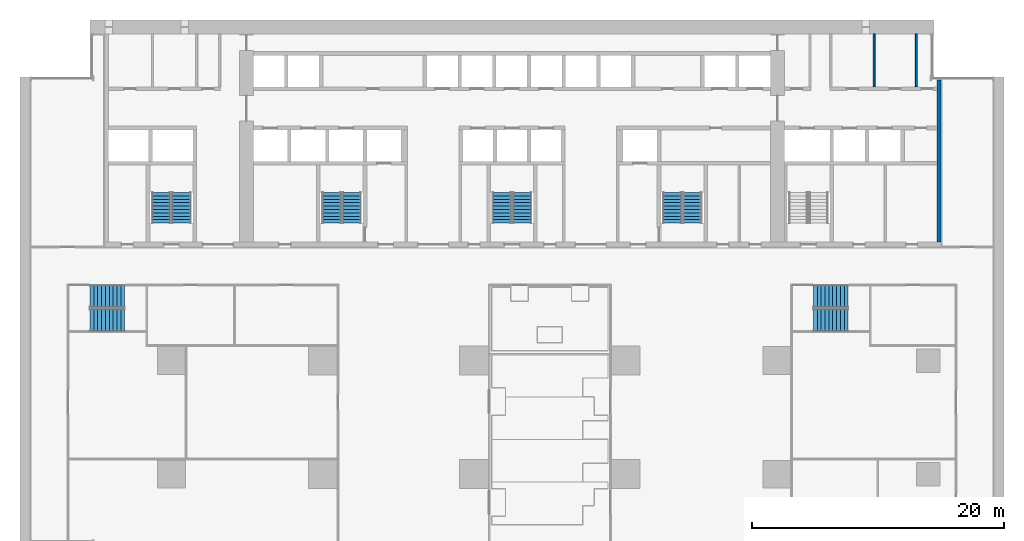
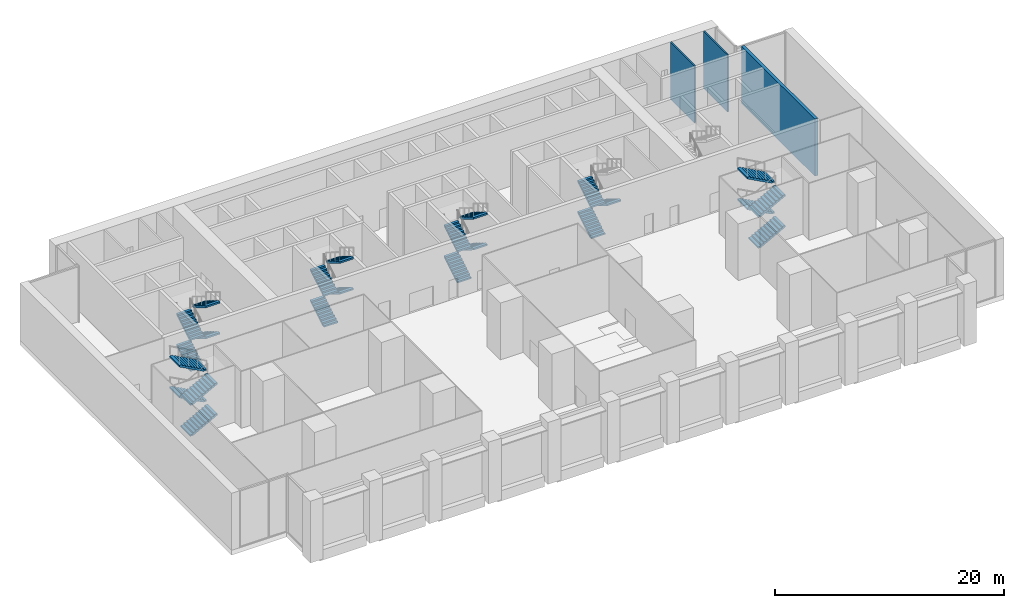
# One storey, part 12 of 18: 23 stair flights, 3 walls, 6 elements without a shape of their own.
"""IFC4 building model written with IfcOpenShell, lengths in metres."""

from ifc_helpers import new_model, si_unit, direction, frame, frame_2d, origin, place, context, subcontext, project, spatial, polyline, rectangle, outline, extrude, material, layer, layer_set, type_object, element, aggregate, save


model = new_model("IFC4")

# Units and contexts
model_context = context("Model", 3, precision=1e-05, world=origin(), true_north=direction((0.0, 1.0)))
body_context = subcontext(model_context, "Body", "Model", "MODEL_VIEW")
ifc_project = project(units=[si_unit("LENGTHUNIT", "METRE"), si_unit("AREAUNIT", "SQUARE_METRE"), si_unit("VOLUMEUNIT", "CUBIC_METRE"), si_unit("PLANEANGLEUNIT", "RADIAN"), si_unit("MASSUNIT", "GRAM", prefix="KILO")], contexts=[model_context])

# Site, building, storey
site_placement = place(None, origin())
site = spatial("IfcSite", under=ifc_project, at=site_placement, CompositionType="ELEMENT")
building_placement = place(site_placement, origin())
building = spatial("IfcBuilding", under=site, at=building_placement, Name="Calvaro Tower", CompositionType="ELEMENT")
storey_placement = place(building_placement, frame((0.0, 0.0, 11.300048828125)))
storey = spatial("IfcBuildingStorey", under=building, at=storey_placement, Name="L02", CompositionType="ELEMENT", Elevation=11.300048828125)

# Walls
ifc_material_1 = material(Name="Blockwork partition", Category="masonry")
ifc_layer_1 = layer(ifc_material_1, 0.14990234375)
ifc_layer_set_1 = layer_set([ifc_layer_1], Name="Blockwork partition")
wall_type_1 = type_object("IfcWallType", Name="Core partition 150 EI 60", PredefinedType="PARTITIONING", material=ifc_layer_set_1)
for number, where, z_axis, x_axis, name in (
    (1, (67.699951171875, 40.699951171875, 0.0), (0.0, 0.0, 1.0), (0.0, 1.0, 0.0), "Core partition"),
    (2, (71.050048828125, 40.699951171875, 0.0), (0.0, 0.0, 1.0), (0.0, 1.0, 0.0), "Core partition"),
):
    element("IfcWall", number, at=place(storey_placement, frame(where, z_axis=z_axis, x_axis=x_axis)), inside=storey, type_object=wall_type_1, Name=name, PredefinedType="PARTITIONING", context=body_context, shape_type="SweptSolid", body=[
        extrude(rectangle(XDim=4.199951171875, YDim=0.14990234375, at=frame_2d((2.10009765625, 0.0))), origin(), (0.0, 0.0, 1.0), 6.099853515625),
    ])
ifc_material_2 = material(Name="Concrete C80/95", Category="concrete")
ifc_layer_2 = layer(ifc_material_2, 0.300048828125)
ifc_layer_set_2 = layer_set([ifc_layer_2], Name="Concrete C80/95")
wall_type_2 = type_object("IfcWallType", Name="Core wall C80/95 300", PredefinedType="SHEAR", material=ifc_layer_set_2)
wall_placement = place(storey_placement, frame((72.85009765625, 28.39990234375, 0.0), z_axis=(0.0, 0.0, 1.0), x_axis=(0.0, 1.0, 0.0)))
element("IfcWall", 3, at=wall_placement, inside=storey, type_object=wall_type_2, Name="Core wall, boundary", PredefinedType="SHEAR", context=body_context, shape_type="SweptSolid", body=[
    extrude(rectangle(XDim=12.85009765625, YDim=0.300048828125, at=frame_2d((6.425048828125, 0.0))), origin(), (0.0, 0.0, 1.0), 6.099853515625),
])

# Stair, stair flights
ifc_material_3 = material(Name="Concrete C40/50", Category="concrete")
stair_type_1 = type_object("IfcStairType", Name="Exit stair 1400 4 flights", PredefinedType="DOUBLE_RETURN_STAIR", material=ifc_material_3)
stair_1_placement = place(storey_placement, origin())
stair_1 = element("IfcStair", 4, at=stair_1_placement, inside=storey, type_object=stair_type_1, Name="Exit stair S1", PredefinedType="DOUBLE_RETURN_STAIR")
ifc_material_4 = material(Name="Concrete C40/50", Category="concrete")
stair_flight_type = type_object("IfcStairFlightType", Name="Stair flight", PredefinedType="STRAIGHT", material=ifc_material_4)
stair_flight_1_placement = place(storey_placement, frame((11.199951171875, 29.89990234375, 0.0), z_axis=(0.0, 0.0, 1.0), x_axis=(0.0, 1.0, 0.0)))
stair_flight_1 = element("IfcStairFlight", 5, at=stair_flight_1_placement, type_object=stair_flight_type, Name="Exit stair 1, flight 1", NumberOfRisers=10, NumberOfTreads=9, PredefinedType="STRAIGHT", RiserHeight=0.165, TreadLength=0.27, context=body_context, shape_type="SweptSolid", body=[
    extrude(outline(polyline([(0.0, 0.0), (0.0, 0.1650390625), (0.27001953125, 0.1650390625), (0.27001953125, 0.330078125), (0.5400390625, 0.330078125), (0.5400390625, 0.4951171875), (0.81005859375, 0.4951171875), (0.81005859375, 0.659912109375), (1.080078125, 0.659912109375), (1.080078125, 0.824951171875), (1.35009765625, 0.824951171875), (1.35009765625, 0.989990234375), (1.6201171875, 0.989990234375), (1.6201171875, 1.155029296875), (1.889892578125, 1.155029296875), (1.889892578125, 1.320068359375), (2.159912109375, 1.320068359375), (2.159912109375, 1.485107421875), (2.429931640625, 1.485107421875), (2.429931640625, 1.64990234375), (2.429931640625, 1.309326171875), (0.287353515625, 0.0), (0.0, 0.0)])), frame((0.0, 0.699951171875, 0.0), z_axis=(0.0, -1.0, 0.0), x_axis=(1.0, 0.0, 0.0)), (0.0, 0.0, 1.0), 1.39990234375),
])
stair_flight_2_placement = place(storey_placement, frame((12.800048828125, 32.330078125, 1.64990234375), z_axis=(0.0, 0.0, 1.0), x_axis=(0.0, -1.0, 0.0)))
stair_flight_2 = element("IfcStairFlight", 6, at=stair_flight_2_placement, type_object=stair_flight_type, Name="Exit stair 1, flight 2", NumberOfRisers=10, NumberOfTreads=9, PredefinedType="STRAIGHT", RiserHeight=0.165, TreadLength=0.27, context=body_context, shape_type="SweptSolid", body=[
    extrude(outline(polyline([(0.0, 0.0), (0.0, 0.1650390625), (0.27001953125, 0.1650390625), (0.27001953125, 0.330078125), (0.5400390625, 0.330078125), (0.5400390625, 0.4951171875), (0.81005859375, 0.4951171875), (0.81005859375, 0.659912109375), (1.080078125, 0.659912109375), (1.080078125, 0.824951171875), (1.35009765625, 0.824951171875), (1.35009765625, 0.989990234375), (1.6201171875, 0.989990234375), (1.6201171875, 1.155029296875), (1.889892578125, 1.155029296875), (1.889892578125, 1.320068359375), (2.159912109375, 1.320068359375), (2.159912109375, 1.485107421875), (2.429931640625, 1.485107421875), (2.429931640625, 1.64990234375), (2.429931640625, 1.309326171875), (0.287353515625, 0.0), (0.0, 0.0)])), frame((0.0, 0.699951171875, 0.0), z_axis=(0.0, -1.0, 0.0), x_axis=(1.0, 0.0, 0.0)), (0.0, 0.0, 1.0), 1.39990234375),
])
stair_flight_3_placement = place(storey_placement, frame((11.199951171875, 29.89990234375, 3.300048828125), z_axis=(0.0, 0.0, 1.0), x_axis=(0.0, 1.0, 0.0)))
stair_flight_3 = element("IfcStairFlight", 7, at=stair_flight_3_placement, type_object=stair_flight_type, Name="Exit stair 1, flight 3", NumberOfRisers=10, NumberOfTreads=9, PredefinedType="STRAIGHT", RiserHeight=0.165, TreadLength=0.27, context=body_context, shape_type="SweptSolid", body=[
    extrude(outline(polyline([(0.0, 0.0), (0.0, 0.1650390625), (0.27001953125, 0.1650390625), (0.27001953125, 0.330078125), (0.5400390625, 0.330078125), (0.5400390625, 0.4951171875), (0.81005859375, 0.4951171875), (0.81005859375, 0.659912109375), (1.080078125, 0.659912109375), (1.080078125, 0.824951171875), (1.35009765625, 0.824951171875), (1.35009765625, 0.989990234375), (1.6201171875, 0.989990234375), (1.6201171875, 1.155029296875), (1.889892578125, 1.155029296875), (1.889892578125, 1.320068359375), (2.159912109375, 1.320068359375), (2.159912109375, 1.485107421875), (2.429931640625, 1.485107421875), (2.429931640625, 1.64990234375), (2.429931640625, 1.309326171875), (0.287353515625, 0.0), (0.0, 0.0)])), frame((0.0, 0.699951171875, 0.0), z_axis=(0.0, -1.0, 0.0), x_axis=(1.0, 0.0, 0.0)), (0.0, 0.0, 1.0), 1.39990234375),
])
stair_flight_4_placement = place(storey_placement, frame((12.800048828125, 32.330078125, 4.949951171875), z_axis=(0.0, 0.0, 1.0), x_axis=(0.0, -1.0, 0.0)))
stair_flight_4 = element("IfcStairFlight", 8, at=stair_flight_4_placement, type_object=stair_flight_type, Name="Exit stair 1, flight 4", NumberOfRisers=10, NumberOfTreads=9, PredefinedType="STRAIGHT", RiserHeight=0.165, TreadLength=0.27, context=body_context, shape_type="SweptSolid", body=[
    extrude(outline(polyline([(0.0, 0.0), (0.0, 0.1650390625), (0.27001953125, 0.1650390625), (0.27001953125, 0.330078125), (0.5400390625, 0.330078125), (0.5400390625, 0.4951171875), (0.81005859375, 0.4951171875), (0.81005859375, 0.659912109375), (1.080078125, 0.659912109375), (1.080078125, 0.824951171875), (1.35009765625, 0.824951171875), (1.35009765625, 0.989990234375), (1.6201171875, 0.989990234375), (1.6201171875, 1.155029296875), (1.889892578125, 1.155029296875), (1.889892578125, 1.320068359375), (2.159912109375, 1.320068359375), (2.159912109375, 1.485107421875), (2.429931640625, 1.485107421875), (2.429931640625, 1.64990234375), (2.429931640625, 1.309326171875), (0.287353515625, 0.0), (0.0, 0.0)])), frame((0.0, 0.699951171875, 0.0), z_axis=(0.0, -1.0, 0.0), x_axis=(1.0, 0.0, 0.0)), (0.0, 0.0, 1.0), 1.39990234375),
])
aggregate(stair_1, [stair_flight_1, stair_flight_2, stair_flight_3, stair_flight_4])

stair_2_placement = place(storey_placement, origin())
stair_2 = element("IfcStair", 9, at=stair_2_placement, inside=storey, type_object=stair_type_1, Name="Exit stair S2", PredefinedType="DOUBLE_RETURN_STAIR")
stair_flight_5_placement = place(storey_placement, frame((24.699951171875, 29.89990234375, 0.0), z_axis=(0.0, 0.0, 1.0), x_axis=(0.0, 1.0, 0.0)))
stair_flight_5 = element("IfcStairFlight", 10, at=stair_flight_5_placement, type_object=stair_flight_type, Name="Exit stair 2, flight 1", NumberOfRisers=10, NumberOfTreads=9, PredefinedType="STRAIGHT", RiserHeight=0.165, TreadLength=0.27, context=body_context, shape_type="SweptSolid", body=[
    extrude(outline(polyline([(0.0, 0.0), (0.0, 0.1650390625), (0.27001953125, 0.1650390625), (0.27001953125, 0.330078125), (0.5400390625, 0.330078125), (0.5400390625, 0.4951171875), (0.81005859375, 0.4951171875), (0.81005859375, 0.659912109375), (1.080078125, 0.659912109375), (1.080078125, 0.824951171875), (1.35009765625, 0.824951171875), (1.35009765625, 0.989990234375), (1.6201171875, 0.989990234375), (1.6201171875, 1.155029296875), (1.889892578125, 1.155029296875), (1.889892578125, 1.320068359375), (2.159912109375, 1.320068359375), (2.159912109375, 1.485107421875), (2.429931640625, 1.485107421875), (2.429931640625, 1.64990234375), (2.429931640625, 1.309326171875), (0.287353515625, 0.0), (0.0, 0.0)])), frame((0.0, 0.699951171875, 0.0), z_axis=(0.0, -1.0, 0.0), x_axis=(1.0, 0.0, 0.0)), (0.0, 0.0, 1.0), 1.39990234375),
])
stair_flight_6_placement = place(storey_placement, frame((26.300048828125, 32.330078125, 1.64990234375), z_axis=(0.0, 0.0, 1.0), x_axis=(0.0, -1.0, 0.0)))
stair_flight_6 = element("IfcStairFlight", 11, at=stair_flight_6_placement, type_object=stair_flight_type, Name="Exit stair 2, flight 2", NumberOfRisers=10, NumberOfTreads=9, PredefinedType="STRAIGHT", RiserHeight=0.165, TreadLength=0.27, context=body_context, shape_type="SweptSolid", body=[
    extrude(outline(polyline([(0.0, 0.0), (0.0, 0.1650390625), (0.27001953125, 0.1650390625), (0.27001953125, 0.330078125), (0.5400390625, 0.330078125), (0.5400390625, 0.4951171875), (0.81005859375, 0.4951171875), (0.81005859375, 0.659912109375), (1.080078125, 0.659912109375), (1.080078125, 0.824951171875), (1.35009765625, 0.824951171875), (1.35009765625, 0.989990234375), (1.6201171875, 0.989990234375), (1.6201171875, 1.155029296875), (1.889892578125, 1.155029296875), (1.889892578125, 1.320068359375), (2.159912109375, 1.320068359375), (2.159912109375, 1.485107421875), (2.429931640625, 1.485107421875), (2.429931640625, 1.64990234375), (2.429931640625, 1.309326171875), (0.287353515625, 0.0), (0.0, 0.0)])), frame((0.0, 0.699951171875, 0.0), z_axis=(0.0, -1.0, 0.0), x_axis=(1.0, 0.0, 0.0)), (0.0, 0.0, 1.0), 1.39990234375),
])
stair_flight_7_placement = place(storey_placement, frame((24.699951171875, 29.89990234375, 3.300048828125), z_axis=(0.0, 0.0, 1.0), x_axis=(0.0, 1.0, 0.0)))
stair_flight_7 = element("IfcStairFlight", 12, at=stair_flight_7_placement, type_object=stair_flight_type, Name="Exit stair 2, flight 3", NumberOfRisers=10, NumberOfTreads=9, PredefinedType="STRAIGHT", RiserHeight=0.165, TreadLength=0.27, context=body_context, shape_type="SweptSolid", body=[
    extrude(outline(polyline([(0.0, 0.0), (0.0, 0.1650390625), (0.27001953125, 0.1650390625), (0.27001953125, 0.330078125), (0.5400390625, 0.330078125), (0.5400390625, 0.4951171875), (0.81005859375, 0.4951171875), (0.81005859375, 0.659912109375), (1.080078125, 0.659912109375), (1.080078125, 0.824951171875), (1.35009765625, 0.824951171875), (1.35009765625, 0.989990234375), (1.6201171875, 0.989990234375), (1.6201171875, 1.155029296875), (1.889892578125, 1.155029296875), (1.889892578125, 1.320068359375), (2.159912109375, 1.320068359375), (2.159912109375, 1.485107421875), (2.429931640625, 1.485107421875), (2.429931640625, 1.64990234375), (2.429931640625, 1.309326171875), (0.287353515625, 0.0), (0.0, 0.0)])), frame((0.0, 0.699951171875, 0.0), z_axis=(0.0, -1.0, 0.0), x_axis=(1.0, 0.0, 0.0)), (0.0, 0.0, 1.0), 1.39990234375),
])
stair_flight_8_placement = place(storey_placement, frame((26.300048828125, 32.330078125, 4.949951171875), z_axis=(0.0, 0.0, 1.0), x_axis=(0.0, -1.0, 0.0)))
stair_flight_8 = element("IfcStairFlight", 13, at=stair_flight_8_placement, type_object=stair_flight_type, Name="Exit stair 2, flight 4", NumberOfRisers=10, NumberOfTreads=9, PredefinedType="STRAIGHT", RiserHeight=0.165, TreadLength=0.27, context=body_context, shape_type="SweptSolid", body=[
    extrude(outline(polyline([(0.0, 0.0), (0.0, 0.1650390625), (0.27001953125, 0.1650390625), (0.27001953125, 0.330078125), (0.5400390625, 0.330078125), (0.5400390625, 0.4951171875), (0.81005859375, 0.4951171875), (0.81005859375, 0.659912109375), (1.080078125, 0.659912109375), (1.080078125, 0.824951171875), (1.35009765625, 0.824951171875), (1.35009765625, 0.989990234375), (1.6201171875, 0.989990234375), (1.6201171875, 1.155029296875), (1.889892578125, 1.155029296875), (1.889892578125, 1.320068359375), (2.159912109375, 1.320068359375), (2.159912109375, 1.485107421875), (2.429931640625, 1.485107421875), (2.429931640625, 1.64990234375), (2.429931640625, 1.309326171875), (0.287353515625, 0.0), (0.0, 0.0)])), frame((0.0, 0.699951171875, 0.0), z_axis=(0.0, -1.0, 0.0), x_axis=(1.0, 0.0, 0.0)), (0.0, 0.0, 1.0), 1.39990234375),
])
aggregate(stair_2, [stair_flight_5, stair_flight_6, stair_flight_7, stair_flight_8])

stair_3_placement = place(storey_placement, origin())
stair_3 = element("IfcStair", 14, at=stair_3_placement, inside=storey, type_object=stair_type_1, Name="Exit stair S3", PredefinedType="DOUBLE_RETURN_STAIR")
stair_flight_9_placement = place(storey_placement, frame((38.199951171875, 29.89990234375, 0.0), z_axis=(0.0, 0.0, 1.0), x_axis=(0.0, 1.0, 0.0)))
stair_flight_9 = element("IfcStairFlight", 15, at=stair_flight_9_placement, type_object=stair_flight_type, Name="Exit stair 3, flight 1", NumberOfRisers=10, NumberOfTreads=9, PredefinedType="STRAIGHT", RiserHeight=0.165, TreadLength=0.27, context=body_context, shape_type="SweptSolid", body=[
    extrude(outline(polyline([(0.0, 0.0), (0.0, 0.1650390625), (0.27001953125, 0.1650390625), (0.27001953125, 0.330078125), (0.5400390625, 0.330078125), (0.5400390625, 0.4951171875), (0.81005859375, 0.4951171875), (0.81005859375, 0.659912109375), (1.080078125, 0.659912109375), (1.080078125, 0.824951171875), (1.35009765625, 0.824951171875), (1.35009765625, 0.989990234375), (1.6201171875, 0.989990234375), (1.6201171875, 1.155029296875), (1.889892578125, 1.155029296875), (1.889892578125, 1.320068359375), (2.159912109375, 1.320068359375), (2.159912109375, 1.485107421875), (2.429931640625, 1.485107421875), (2.429931640625, 1.64990234375), (2.429931640625, 1.309326171875), (0.287353515625, 0.0), (0.0, 0.0)])), frame((0.0, 0.699951171875, 0.0), z_axis=(0.0, -1.0, 0.0), x_axis=(1.0, 0.0, 0.0)), (0.0, 0.0, 1.0), 1.39990234375),
])
stair_flight_10_placement = place(storey_placement, frame((39.800048828125, 32.330078125, 1.64990234375), z_axis=(0.0, 0.0, 1.0), x_axis=(0.0, -1.0, 0.0)))
stair_flight_10 = element("IfcStairFlight", 16, at=stair_flight_10_placement, type_object=stair_flight_type, Name="Exit stair 3, flight 2", NumberOfRisers=10, NumberOfTreads=9, PredefinedType="STRAIGHT", RiserHeight=0.165, TreadLength=0.27, context=body_context, shape_type="SweptSolid", body=[
    extrude(outline(polyline([(0.0, 0.0), (0.0, 0.1650390625), (0.27001953125, 0.1650390625), (0.27001953125, 0.330078125), (0.5400390625, 0.330078125), (0.5400390625, 0.4951171875), (0.81005859375, 0.4951171875), (0.81005859375, 0.659912109375), (1.080078125, 0.659912109375), (1.080078125, 0.824951171875), (1.35009765625, 0.824951171875), (1.35009765625, 0.989990234375), (1.6201171875, 0.989990234375), (1.6201171875, 1.155029296875), (1.889892578125, 1.155029296875), (1.889892578125, 1.320068359375), (2.159912109375, 1.320068359375), (2.159912109375, 1.485107421875), (2.429931640625, 1.485107421875), (2.429931640625, 1.64990234375), (2.429931640625, 1.309326171875), (0.287353515625, 0.0), (0.0, 0.0)])), frame((0.0, 0.699951171875, 0.0), z_axis=(0.0, -1.0, 0.0), x_axis=(1.0, 0.0, 0.0)), (0.0, 0.0, 1.0), 1.39990234375),
])
stair_flight_11_placement = place(storey_placement, frame((38.199951171875, 29.89990234375, 3.300048828125), z_axis=(0.0, 0.0, 1.0), x_axis=(0.0, 1.0, 0.0)))
stair_flight_11 = element("IfcStairFlight", 17, at=stair_flight_11_placement, type_object=stair_flight_type, Name="Exit stair 3, flight 3", NumberOfRisers=10, NumberOfTreads=9, PredefinedType="STRAIGHT", RiserHeight=0.165, TreadLength=0.27, context=body_context, shape_type="SweptSolid", body=[
    extrude(outline(polyline([(0.0, 0.0), (0.0, 0.1650390625), (0.27001953125, 0.1650390625), (0.27001953125, 0.330078125), (0.5400390625, 0.330078125), (0.5400390625, 0.4951171875), (0.81005859375, 0.4951171875), (0.81005859375, 0.659912109375), (1.080078125, 0.659912109375), (1.080078125, 0.824951171875), (1.35009765625, 0.824951171875), (1.35009765625, 0.989990234375), (1.6201171875, 0.989990234375), (1.6201171875, 1.155029296875), (1.889892578125, 1.155029296875), (1.889892578125, 1.320068359375), (2.159912109375, 1.320068359375), (2.159912109375, 1.485107421875), (2.429931640625, 1.485107421875), (2.429931640625, 1.64990234375), (2.429931640625, 1.309326171875), (0.287353515625, 0.0), (0.0, 0.0)])), frame((0.0, 0.699951171875, 0.0), z_axis=(0.0, -1.0, 0.0), x_axis=(1.0, 0.0, 0.0)), (0.0, 0.0, 1.0), 1.39990234375),
])
stair_flight_12_placement = place(storey_placement, frame((39.800048828125, 32.330078125, 4.949951171875), z_axis=(0.0, 0.0, 1.0), x_axis=(0.0, -1.0, 0.0)))
stair_flight_12 = element("IfcStairFlight", 18, at=stair_flight_12_placement, type_object=stair_flight_type, Name="Exit stair 3, flight 4", NumberOfRisers=10, NumberOfTreads=9, PredefinedType="STRAIGHT", RiserHeight=0.165, TreadLength=0.27, context=body_context, shape_type="SweptSolid", body=[
    extrude(outline(polyline([(0.0, 0.0), (0.0, 0.1650390625), (0.27001953125, 0.1650390625), (0.27001953125, 0.330078125), (0.5400390625, 0.330078125), (0.5400390625, 0.4951171875), (0.81005859375, 0.4951171875), (0.81005859375, 0.659912109375), (1.080078125, 0.659912109375), (1.080078125, 0.824951171875), (1.35009765625, 0.824951171875), (1.35009765625, 0.989990234375), (1.6201171875, 0.989990234375), (1.6201171875, 1.155029296875), (1.889892578125, 1.155029296875), (1.889892578125, 1.320068359375), (2.159912109375, 1.320068359375), (2.159912109375, 1.485107421875), (2.429931640625, 1.485107421875), (2.429931640625, 1.64990234375), (2.429931640625, 1.309326171875), (0.287353515625, 0.0), (0.0, 0.0)])), frame((0.0, 0.699951171875, 0.0), z_axis=(0.0, -1.0, 0.0), x_axis=(1.0, 0.0, 0.0)), (0.0, 0.0, 1.0), 1.39990234375),
])
aggregate(stair_3, [stair_flight_9, stair_flight_10, stair_flight_11, stair_flight_12])

stair_4_placement = place(storey_placement, origin())
stair_4 = element("IfcStair", 19, at=stair_4_placement, inside=storey, type_object=stair_type_1, Name="Exit stair S4", PredefinedType="DOUBLE_RETURN_STAIR")
stair_flight_13_placement = place(storey_placement, frame((51.699951171875, 29.89990234375, 0.0), z_axis=(0.0, 0.0, 1.0), x_axis=(0.0, 1.0, 0.0)))
stair_flight_13 = element("IfcStairFlight", 20, at=stair_flight_13_placement, type_object=stair_flight_type, Name="Exit stair 4, flight 1", NumberOfRisers=10, NumberOfTreads=9, PredefinedType="STRAIGHT", RiserHeight=0.165, TreadLength=0.27, context=body_context, shape_type="SweptSolid", body=[
    extrude(outline(polyline([(0.0, 0.0), (0.0, 0.1650390625), (0.27001953125, 0.1650390625), (0.27001953125, 0.330078125), (0.5400390625, 0.330078125), (0.5400390625, 0.4951171875), (0.81005859375, 0.4951171875), (0.81005859375, 0.659912109375), (1.080078125, 0.659912109375), (1.080078125, 0.824951171875), (1.35009765625, 0.824951171875), (1.35009765625, 0.989990234375), (1.6201171875, 0.989990234375), (1.6201171875, 1.155029296875), (1.889892578125, 1.155029296875), (1.889892578125, 1.320068359375), (2.159912109375, 1.320068359375), (2.159912109375, 1.485107421875), (2.429931640625, 1.485107421875), (2.429931640625, 1.64990234375), (2.429931640625, 1.309326171875), (0.287353515625, 0.0), (0.0, 0.0)])), frame((0.0, 0.699951171875, 0.0), z_axis=(0.0, -1.0, 0.0), x_axis=(1.0, 0.0, 0.0)), (0.0, 0.0, 1.0), 1.39990234375),
])
stair_flight_14_placement = place(storey_placement, frame((53.300048828125, 32.330078125, 1.64990234375), z_axis=(0.0, 0.0, 1.0), x_axis=(0.0, -1.0, 0.0)))
stair_flight_14 = element("IfcStairFlight", 21, at=stair_flight_14_placement, type_object=stair_flight_type, Name="Exit stair 4, flight 2", NumberOfRisers=10, NumberOfTreads=9, PredefinedType="STRAIGHT", RiserHeight=0.165, TreadLength=0.27, context=body_context, shape_type="SweptSolid", body=[
    extrude(outline(polyline([(0.0, 0.0), (0.0, 0.1650390625), (0.27001953125, 0.1650390625), (0.27001953125, 0.330078125), (0.5400390625, 0.330078125), (0.5400390625, 0.4951171875), (0.81005859375, 0.4951171875), (0.81005859375, 0.659912109375), (1.080078125, 0.659912109375), (1.080078125, 0.824951171875), (1.35009765625, 0.824951171875), (1.35009765625, 0.989990234375), (1.6201171875, 0.989990234375), (1.6201171875, 1.155029296875), (1.889892578125, 1.155029296875), (1.889892578125, 1.320068359375), (2.159912109375, 1.320068359375), (2.159912109375, 1.485107421875), (2.429931640625, 1.485107421875), (2.429931640625, 1.64990234375), (2.429931640625, 1.309326171875), (0.287353515625, 0.0), (0.0, 0.0)])), frame((0.0, 0.699951171875, 0.0), z_axis=(0.0, -1.0, 0.0), x_axis=(1.0, 0.0, 0.0)), (0.0, 0.0, 1.0), 1.39990234375),
])
stair_flight_15_placement = place(storey_placement, frame((51.699951171875, 29.89990234375, 3.300048828125), z_axis=(0.0, 0.0, 1.0), x_axis=(0.0, 1.0, 0.0)))
stair_flight_15 = element("IfcStairFlight", 22, at=stair_flight_15_placement, type_object=stair_flight_type, Name="Exit stair 4, flight 3", NumberOfRisers=10, NumberOfTreads=9, PredefinedType="STRAIGHT", RiserHeight=0.165, TreadLength=0.27, context=body_context, shape_type="SweptSolid", body=[
    extrude(outline(polyline([(0.0, 0.0), (0.0, 0.1650390625), (0.27001953125, 0.1650390625), (0.27001953125, 0.330078125), (0.5400390625, 0.330078125), (0.5400390625, 0.4951171875), (0.81005859375, 0.4951171875), (0.81005859375, 0.659912109375), (1.080078125, 0.659912109375), (1.080078125, 0.824951171875), (1.35009765625, 0.824951171875), (1.35009765625, 0.989990234375), (1.6201171875, 0.989990234375), (1.6201171875, 1.155029296875), (1.889892578125, 1.155029296875), (1.889892578125, 1.320068359375), (2.159912109375, 1.320068359375), (2.159912109375, 1.485107421875), (2.429931640625, 1.485107421875), (2.429931640625, 1.64990234375), (2.429931640625, 1.309326171875), (0.287353515625, 0.0), (0.0, 0.0)])), frame((0.0, 0.699951171875, 0.0), z_axis=(0.0, -1.0, 0.0), x_axis=(1.0, 0.0, 0.0)), (0.0, 0.0, 1.0), 1.39990234375),
])
aggregate(stair_4, [stair_flight_13, stair_flight_14, stair_flight_15])

ifc_material_5 = material(Name="Concrete C40/50", Category="concrete")
stair_type_2 = type_object("IfcStairType", Name="Exit stair 1700 4 flights", PredefinedType="DOUBLE_RETURN_STAIR", material=ifc_material_5)
stair_5_placement = place(storey_placement, origin())
stair_5 = element("IfcStair", 23, at=stair_5_placement, inside=storey, type_object=stair_type_2, Name="Exit stair 6", PredefinedType="DOUBLE_RETURN_STAIR")
stair_flight_16_placement = place(storey_placement, frame((5.550048828125, 22.199951171875, 0.0), z_axis=(0.0, 0.0, 1.0), x_axis=(1.0, 0.0, 0.0)))
stair_flight_16 = element("IfcStairFlight", 24, at=stair_flight_16_placement, type_object=stair_flight_type, Name="Exit stair 6, flight 1", NumberOfRisers=10, NumberOfTreads=9, PredefinedType="STRAIGHT", RiserHeight=0.165, TreadLength=0.305, context=body_context, shape_type="SweptSolid", body=[
    extrude(outline(polyline([(0.0, 0.0), (0.0, 0.1650390625), (0.304931640625, 0.1650390625), (0.304931640625, 0.330078125), (0.610107421875, 0.330078125), (0.610107421875, 0.4951171875), (0.9150390625, 0.4951171875), (0.9150390625, 0.659912109375), (1.219970703125, 0.659912109375), (1.219970703125, 0.824951171875), (1.52490234375, 0.824951171875), (1.52490234375, 0.989990234375), (1.830078125, 0.989990234375), (1.830078125, 1.155029296875), (2.135009765625, 1.155029296875), (2.135009765625, 1.320068359375), (2.43994140625, 1.320068359375), (2.43994140625, 1.485107421875), (2.7451171875, 1.485107421875), (2.7451171875, 1.64990234375), (2.7451171875, 1.314453125), (0.31494140625, 0.0), (0.0, 0.0)])), frame((0.0, 0.85009765625, 0.0), z_axis=(0.0, -1.0, 0.0), x_axis=(1.0, 0.0, 0.0)), (0.0, 0.0, 1.0), 1.699951171875),
])
stair_flight_17_placement = place(storey_placement, frame((8.294921875, 24.10009765625, 1.64990234375), z_axis=(0.0, 0.0, 1.0), x_axis=(-1.0, 0.0, 0.0)))
stair_flight_17 = element("IfcStairFlight", 25, at=stair_flight_17_placement, type_object=stair_flight_type, Name="Exit stair 6, flight 2", NumberOfRisers=10, NumberOfTreads=9, PredefinedType="STRAIGHT", RiserHeight=0.165, TreadLength=0.305, context=body_context, shape_type="SweptSolid", body=[
    extrude(outline(polyline([(0.0, 0.0), (0.0, 0.1650390625), (0.304931640625, 0.1650390625), (0.304931640625, 0.330078125), (0.610107421875, 0.330078125), (0.610107421875, 0.4951171875), (0.9150390625, 0.4951171875), (0.9150390625, 0.659912109375), (1.219970703125, 0.659912109375), (1.219970703125, 0.824951171875), (1.52490234375, 0.824951171875), (1.52490234375, 0.989990234375), (1.830078125, 0.989990234375), (1.830078125, 1.155029296875), (2.135009765625, 1.155029296875), (2.135009765625, 1.320068359375), (2.43994140625, 1.320068359375), (2.43994140625, 1.485107421875), (2.7451171875, 1.485107421875), (2.7451171875, 1.64990234375), (2.7451171875, 1.314453125), (0.31494140625, 0.0), (0.0, 0.0)])), frame((0.0, 0.85009765625, 0.0), z_axis=(0.0, -1.0, 0.0), x_axis=(1.0, 0.0, 0.0)), (0.0, 0.0, 1.0), 1.699951171875),
])
stair_flight_18_placement = place(storey_placement, frame((5.550048828125, 22.199951171875, 3.300048828125), z_axis=(0.0, 0.0, 1.0), x_axis=(1.0, 0.0, 0.0)))
stair_flight_18 = element("IfcStairFlight", 26, at=stair_flight_18_placement, type_object=stair_flight_type, Name="Exit stair 6, flight 3", NumberOfRisers=10, NumberOfTreads=9, PredefinedType="STRAIGHT", RiserHeight=0.165, TreadLength=0.305, context=body_context, shape_type="SweptSolid", body=[
    extrude(outline(polyline([(0.0, 0.0), (0.0, 0.1650390625), (0.304931640625, 0.1650390625), (0.304931640625, 0.330078125), (0.610107421875, 0.330078125), (0.610107421875, 0.4951171875), (0.9150390625, 0.4951171875), (0.9150390625, 0.659912109375), (1.219970703125, 0.659912109375), (1.219970703125, 0.824951171875), (1.52490234375, 0.824951171875), (1.52490234375, 0.989990234375), (1.830078125, 0.989990234375), (1.830078125, 1.155029296875), (2.135009765625, 1.155029296875), (2.135009765625, 1.320068359375), (2.43994140625, 1.320068359375), (2.43994140625, 1.485107421875), (2.7451171875, 1.485107421875), (2.7451171875, 1.64990234375), (2.7451171875, 1.314453125), (0.31494140625, 0.0), (0.0, 0.0)])), frame((0.0, 0.85009765625, 0.0), z_axis=(0.0, -1.0, 0.0), x_axis=(1.0, 0.0, 0.0)), (0.0, 0.0, 1.0), 1.699951171875),
])
stair_flight_19_placement = place(storey_placement, frame((8.294921875, 24.10009765625, 4.949951171875), z_axis=(0.0, 0.0, 1.0), x_axis=(-1.0, 0.0, 0.0)))
stair_flight_19 = element("IfcStairFlight", 27, at=stair_flight_19_placement, type_object=stair_flight_type, Name="Exit stair 6, flight 4", NumberOfRisers=10, NumberOfTreads=9, PredefinedType="STRAIGHT", RiserHeight=0.165, TreadLength=0.305, context=body_context, shape_type="SweptSolid", body=[
    extrude(outline(polyline([(0.0, 0.0), (0.0, 0.1650390625), (0.304931640625, 0.1650390625), (0.304931640625, 0.330078125), (0.610107421875, 0.330078125), (0.610107421875, 0.4951171875), (0.9150390625, 0.4951171875), (0.9150390625, 0.659912109375), (1.219970703125, 0.659912109375), (1.219970703125, 0.824951171875), (1.52490234375, 0.824951171875), (1.52490234375, 0.989990234375), (1.830078125, 0.989990234375), (1.830078125, 1.155029296875), (2.135009765625, 1.155029296875), (2.135009765625, 1.320068359375), (2.43994140625, 1.320068359375), (2.43994140625, 1.485107421875), (2.7451171875, 1.485107421875), (2.7451171875, 1.64990234375), (2.7451171875, 1.314453125), (0.31494140625, 0.0), (0.0, 0.0)])), frame((0.0, 0.85009765625, 0.0), z_axis=(0.0, -1.0, 0.0), x_axis=(1.0, 0.0, 0.0)), (0.0, 0.0, 1.0), 1.699951171875),
])
aggregate(stair_5, [stair_flight_16, stair_flight_17, stair_flight_18, stair_flight_19])

stair_6_placement = place(storey_placement, origin())
stair_6 = element("IfcStair", 28, at=stair_6_placement, inside=storey, type_object=stair_type_2, Name="Exit stair 7", PredefinedType="DOUBLE_RETURN_STAIR")
stair_flight_20_placement = place(storey_placement, frame((62.89990234375, 22.199951171875, 0.0), z_axis=(0.0, 0.0, 1.0), x_axis=(1.0, 0.0, 0.0)))
stair_flight_20 = element("IfcStairFlight", 29, at=stair_flight_20_placement, type_object=stair_flight_type, Name="Exit stair 7, flight 1", NumberOfRisers=10, NumberOfTreads=9, PredefinedType="STRAIGHT", RiserHeight=0.165, TreadLength=0.305, context=body_context, shape_type="SweptSolid", body=[
    extrude(outline(polyline([(0.0, 0.0), (0.0, 0.1650390625), (0.304931640625, 0.1650390625), (0.304931640625, 0.330078125), (0.610107421875, 0.330078125), (0.610107421875, 0.4951171875), (0.9150390625, 0.4951171875), (0.9150390625, 0.659912109375), (1.219970703125, 0.659912109375), (1.219970703125, 0.824951171875), (1.52490234375, 0.824951171875), (1.52490234375, 0.989990234375), (1.830078125, 0.989990234375), (1.830078125, 1.155029296875), (2.135009765625, 1.155029296875), (2.135009765625, 1.320068359375), (2.43994140625, 1.320068359375), (2.43994140625, 1.485107421875), (2.7451171875, 1.485107421875), (2.7451171875, 1.64990234375), (2.7451171875, 1.314453125), (0.31494140625, 0.0), (0.0, 0.0)])), frame((0.0, 0.85009765625, 0.0), z_axis=(0.0, -1.0, 0.0), x_axis=(1.0, 0.0, 0.0)), (0.0, 0.0, 1.0), 1.699951171875),
])
stair_flight_21_placement = place(storey_placement, frame((65.64501953125, 24.10009765625, 1.64990234375), z_axis=(0.0, 0.0, 1.0), x_axis=(-1.0, 0.0, 0.0)))
stair_flight_21 = element("IfcStairFlight", 30, at=stair_flight_21_placement, type_object=stair_flight_type, Name="Exit stair 7, flight 2", NumberOfRisers=10, NumberOfTreads=9, PredefinedType="STRAIGHT", RiserHeight=0.165, TreadLength=0.305, context=body_context, shape_type="SweptSolid", body=[
    extrude(outline(polyline([(0.0, 0.0), (0.0, 0.1650390625), (0.304931640625, 0.1650390625), (0.304931640625, 0.330078125), (0.610107421875, 0.330078125), (0.610107421875, 0.4951171875), (0.9150390625, 0.4951171875), (0.9150390625, 0.659912109375), (1.219970703125, 0.659912109375), (1.219970703125, 0.824951171875), (1.52490234375, 0.824951171875), (1.52490234375, 0.989990234375), (1.830078125, 0.989990234375), (1.830078125, 1.155029296875), (2.135009765625, 1.155029296875), (2.135009765625, 1.320068359375), (2.43994140625, 1.320068359375), (2.43994140625, 1.485107421875), (2.7451171875, 1.485107421875), (2.7451171875, 1.64990234375), (2.7451171875, 1.314453125), (0.31494140625, 0.0), (0.0, 0.0)])), frame((0.0, 0.85009765625, 0.0), z_axis=(0.0, -1.0, 0.0), x_axis=(1.0, 0.0, 0.0)), (0.0, 0.0, 1.0), 1.699951171875),
])
stair_flight_22_placement = place(storey_placement, frame((62.89990234375, 22.199951171875, 3.300048828125), z_axis=(0.0, 0.0, 1.0), x_axis=(1.0, 0.0, 0.0)))
stair_flight_22 = element("IfcStairFlight", 31, at=stair_flight_22_placement, type_object=stair_flight_type, Name="Exit stair 7, flight 3", NumberOfRisers=10, NumberOfTreads=9, PredefinedType="STRAIGHT", RiserHeight=0.165, TreadLength=0.305, context=body_context, shape_type="SweptSolid", body=[
    extrude(outline(polyline([(0.0, 0.0), (0.0, 0.1650390625), (0.304931640625, 0.1650390625), (0.304931640625, 0.330078125), (0.610107421875, 0.330078125), (0.610107421875, 0.4951171875), (0.9150390625, 0.4951171875), (0.9150390625, 0.659912109375), (1.219970703125, 0.659912109375), (1.219970703125, 0.824951171875), (1.52490234375, 0.824951171875), (1.52490234375, 0.989990234375), (1.830078125, 0.989990234375), (1.830078125, 1.155029296875), (2.135009765625, 1.155029296875), (2.135009765625, 1.320068359375), (2.43994140625, 1.320068359375), (2.43994140625, 1.485107421875), (2.7451171875, 1.485107421875), (2.7451171875, 1.64990234375), (2.7451171875, 1.314453125), (0.31494140625, 0.0), (0.0, 0.0)])), frame((0.0, 0.85009765625, 0.0), z_axis=(0.0, -1.0, 0.0), x_axis=(1.0, 0.0, 0.0)), (0.0, 0.0, 1.0), 1.699951171875),
])
stair_flight_23_placement = place(storey_placement, frame((65.64501953125, 24.10009765625, 4.949951171875), z_axis=(0.0, 0.0, 1.0), x_axis=(-1.0, 0.0, 0.0)))
stair_flight_23 = element("IfcStairFlight", 32, at=stair_flight_23_placement, type_object=stair_flight_type, Name="Exit stair 7, flight 4", NumberOfRisers=10, NumberOfTreads=9, PredefinedType="STRAIGHT", RiserHeight=0.165, TreadLength=0.305, context=body_context, shape_type="SweptSolid", body=[
    extrude(outline(polyline([(0.0, 0.0), (0.0, 0.1650390625), (0.304931640625, 0.1650390625), (0.304931640625, 0.330078125), (0.610107421875, 0.330078125), (0.610107421875, 0.4951171875), (0.9150390625, 0.4951171875), (0.9150390625, 0.659912109375), (1.219970703125, 0.659912109375), (1.219970703125, 0.824951171875), (1.52490234375, 0.824951171875), (1.52490234375, 0.989990234375), (1.830078125, 0.989990234375), (1.830078125, 1.155029296875), (2.135009765625, 1.155029296875), (2.135009765625, 1.320068359375), (2.43994140625, 1.320068359375), (2.43994140625, 1.485107421875), (2.7451171875, 1.485107421875), (2.7451171875, 1.64990234375), (2.7451171875, 1.314453125), (0.31494140625, 0.0), (0.0, 0.0)])), frame((0.0, 0.85009765625, 0.0), z_axis=(0.0, -1.0, 0.0), x_axis=(1.0, 0.0, 0.0)), (0.0, 0.0, 1.0), 1.699951171875),
])
aggregate(stair_6, [stair_flight_20, stair_flight_21, stair_flight_22, stair_flight_23])

save(model, "model.ifc")
